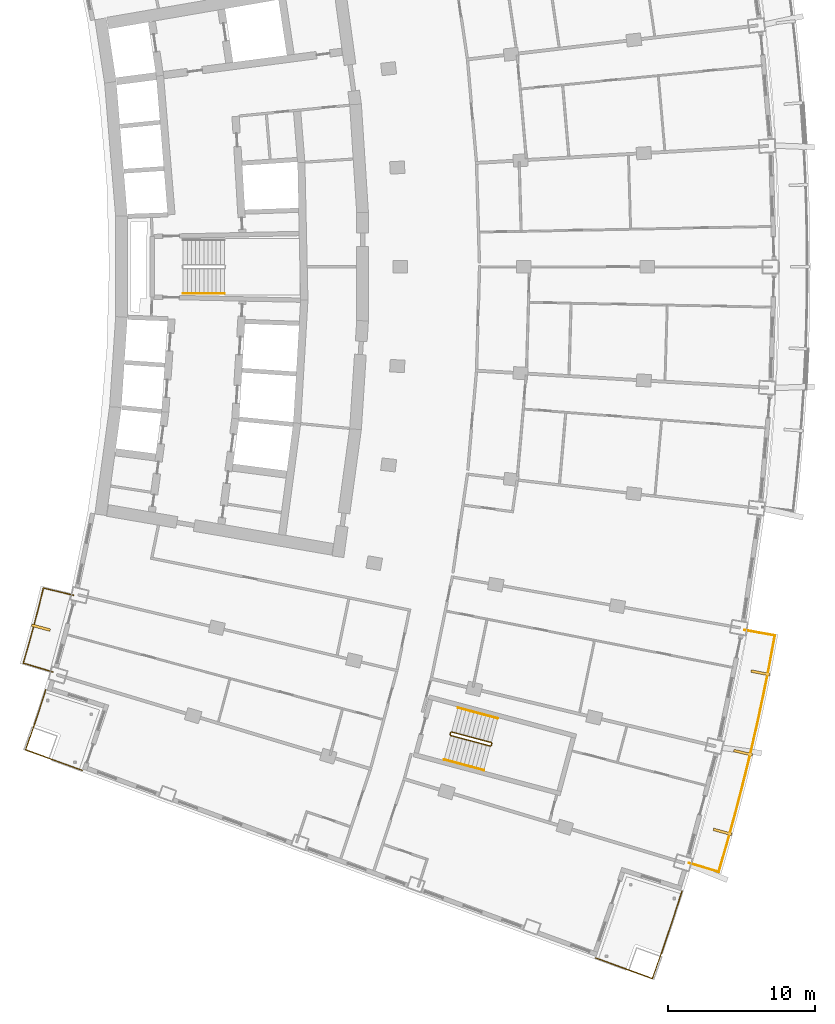
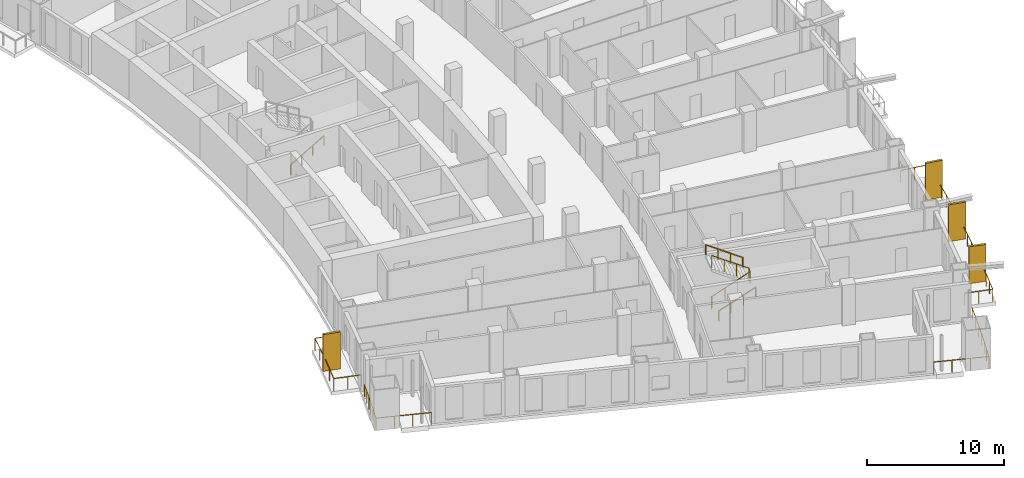
# One storey, part 23 of 25: 8 railings, 4 shading devices.
"""IFC4 building model written with IfcOpenShell, lengths in metres."""

from ifc_helpers import new_model, si_unit, direction, frame, origin, origin_with_axes, origin_2d, place, context, subcontext, project, spatial, rectangle, extrude, material, layer, layer_set, type_object, element, save


model = new_model("IFC4")

# Units and contexts
model_context = context("Model", 3, precision=1e-05, world=origin(), true_north=direction((0.0, 1.0)))
body_context = subcontext(model_context, "Body", "Model", "MODEL_VIEW")
ifc_project = project(units=[si_unit("LENGTHUNIT", "METRE"), si_unit("AREAUNIT", "SQUARE_METRE"), si_unit("VOLUMEUNIT", "CUBIC_METRE"), si_unit("PLANEANGLEUNIT", "RADIAN"), si_unit("MASSUNIT", "GRAM", prefix="KILO")], contexts=[model_context])

# Site, building, storey
site_placement = place(None, origin())
site = spatial("IfcSite", under=ifc_project, at=site_placement, CompositionType="ELEMENT")
building_placement = place(site_placement, origin())
building = spatial("IfcBuilding", under=site, at=building_placement, Name="Alderwake Tower", CompositionType="ELEMENT")
storey_placement = place(building_placement, frame((0.0, 0.0, 107.60009765625)))
storey = spatial("IfcBuildingStorey", under=building, at=storey_placement, Name="L26", CompositionType="ELEMENT", Elevation=107.60009765625)

# Railings
ifc_material_1 = material(Name="Stainless steel 316 rail and posts", Category="steel")
railing_type_1 = type_object("IfcRailingType", Name="Balcony guard 1100", PredefinedType="GUARDRAIL", material=ifc_material_1)
railing_1_placement = place(storey_placement, frame((55.456298828125, 20.43505859375, 0.0)))
element("IfcRailing", 1, at=railing_1_placement, inside=storey, type_object=railing_type_1, Name="Guard BF02", PredefinedType="GUARDRAIL", context=body_context, shape_type="SweptSolid", body=[
    extrude(rectangle(XDim=0.048095703125, YDim=0.048095703125, at=origin_2d()), frame((0.0, 0.0, 1.076171875), z_axis=(0.957954179098, -0.286921227429, 0.0), x_axis=(0.286921227429, 0.957954179098, 0.0)), (0.0, 0.0, 1.0), 2.10009765625),
    extrude(rectangle(XDim=0.048095703125, YDim=0.048095703125, at=origin_2d()), frame((2.01171875, -0.6025390625, 1.076171875), z_axis=(0.28031519248, 0.95990801271, 0.0), x_axis=(-0.95990801271, 0.28031519248, 0.0)), (0.0, 0.0, 1.0), 1.99267578125),
    extrude(rectangle(XDim=0.048095703125, YDim=0.048095703125, at=origin_2d()), frame((2.5703125, 1.310302734375, 1.076171875), z_axis=(0.266452319336, 0.963848100854, 0.0), x_axis=(-0.963848100854, 0.266452319336, 0.0)), (0.0, 0.0, 1.0), 2.0927734375),
    extrude(rectangle(XDim=0.048095703125, YDim=0.048095703125, at=origin_2d()), frame((3.1279296875, 3.327392578125, 1.076171875), z_axis=(0.252459890033, 0.967607360413, 0.0), x_axis=(-0.967607360413, 0.252459890033, 0.0)), (0.0, 0.0, 1.0), 2.0927734375),
    extrude(rectangle(XDim=0.048095703125, YDim=0.048095703125, at=origin_2d()), frame((3.65625, 5.352294921875, 1.076171875), z_axis=(0.238360646186, 0.971176710156, 0.0), x_axis=(-0.971176710156, 0.238360646186, 0.0)), (0.0, 0.0, 1.0), 2.092529296875),
    extrude(rectangle(XDim=0.048095703125, YDim=0.048095703125, at=origin_2d()), frame((4.155029296875, 7.384521484375, 1.076171875), z_axis=(0.224101157754, 0.974565888534, 0.0), x_axis=(-0.974565888534, 0.224101157754, 0.0)), (0.0, 0.0, 1.0), 2.0927734375),
    extrude(rectangle(XDim=0.048095703125, YDim=0.048095703125, at=origin_2d()), frame((4.6240234375, 9.424072265625, 1.076171875), z_axis=(0.209871658439, 0.977728943513, 0.0), x_axis=(-0.977728943513, 0.209871658439, 0.0)), (0.0, 0.0, 1.0), 2.0927734375),
    extrude(rectangle(XDim=0.048095703125, YDim=0.048095703125, at=origin_2d()), frame((5.063232421875, 11.47021484375, 1.076171875), z_axis=(0.195644970766, 0.980674790853, 0.0), x_axis=(-0.980674790853, 0.195644970766, 0.0)), (0.0, 0.0, 1.0), 2.0927734375),
    extrude(rectangle(XDim=0.048095703125, YDim=0.048095703125, at=origin_2d()), frame((5.47265625, 13.5224609375, 1.076171875), z_axis=(0.181580290722, 0.983376122357, 0.0), x_axis=(-0.983376122357, 0.181580290722, 0.0)), (0.0, 0.0, 1.0), 1.99267578125),
    extrude(rectangle(XDim=0.048095703125, YDim=0.048095703125, at=origin_2d()), frame((5.83447265625, 15.48193359375, 1.076171875), z_axis=(-0.984594547275, 0.174853016779, 0.0), x_axis=(-0.174853016779, -0.984594547275, 0.0)), (0.0, 0.0, 1.0), 2.10009765625),
    extrude(rectangle(XDim=0.0419921875, YDim=0.0419921875, at=origin_2d()), frame((0.0, 0.0, 0.0), z_axis=(0.0, 0.0, 1.0), x_axis=(0.957954179098, -0.286921227429, 0.0)), (0.0, 0.0, 1.0), 1.052001953125),
    extrude(rectangle(XDim=0.0419921875, YDim=0.0419921875, at=origin_2d()), frame((1.005859375, -0.30126953125, 0.0), z_axis=(0.0, 0.0, 1.0), x_axis=(0.957954179098, -0.286921227429, 0.0)), (0.0, 0.0, 1.0), 1.052001953125),
    extrude(rectangle(XDim=0.0419921875, YDim=0.0419921875, at=origin_2d()), frame((2.01171875, -0.6025390625, 0.0), z_axis=(0.0, 0.0, 1.0), x_axis=(0.28031519248, 0.95990801271, 0.0)), (0.0, 0.0, 1.0), 1.052001953125),
    extrude(rectangle(XDim=0.0419921875, YDim=0.0419921875, at=origin_2d()), frame((2.291015625, 0.35400390625, 0.0), z_axis=(0.0, 0.0, 1.0), x_axis=(0.28031519248, 0.95990801271, 0.0)), (0.0, 0.0, 1.0), 1.052001953125),
    extrude(rectangle(XDim=0.0419921875, YDim=0.0419921875, at=origin_2d()), frame((2.5703125, 1.310302734375, 0.0), z_axis=(0.0, 0.0, 1.0), x_axis=(0.266452319336, 0.963848100854, 0.0)), (0.0, 0.0, 1.0), 1.052001953125),
    extrude(rectangle(XDim=0.0419921875, YDim=0.0419921875, at=origin_2d()), frame((2.84912109375, 2.31884765625, 0.0), z_axis=(0.0, 0.0, 1.0), x_axis=(0.266452319336, 0.963848100854, 0.0)), (0.0, 0.0, 1.0), 1.052001953125),
    extrude(rectangle(XDim=0.0419921875, YDim=0.0419921875, at=origin_2d()), frame((3.1279296875, 3.327392578125, 0.0), z_axis=(0.0, 0.0, 1.0), x_axis=(0.252459890033, 0.967607360413, 0.0)), (0.0, 0.0, 1.0), 1.052001953125),
    extrude(rectangle(XDim=0.0419921875, YDim=0.0419921875, at=origin_2d()), frame((3.39208984375, 4.33984375, 0.0), z_axis=(0.0, 0.0, 1.0), x_axis=(0.252459890033, 0.967607360413, 0.0)), (0.0, 0.0, 1.0), 1.052001953125),
    extrude(rectangle(XDim=0.0419921875, YDim=0.0419921875, at=origin_2d()), frame((3.65625, 5.352294921875, 0.0), z_axis=(0.0, 0.0, 1.0), x_axis=(0.238360646186, 0.971176710156, 0.0)), (0.0, 0.0, 1.0), 1.052001953125),
    extrude(rectangle(XDim=0.0419921875, YDim=0.0419921875, at=origin_2d()), frame((3.90576171875, 6.368408203125, 0.0), z_axis=(0.0, 0.0, 1.0), x_axis=(0.238360646186, 0.971176710156, 0.0)), (0.0, 0.0, 1.0), 1.052001953125),
    extrude(rectangle(XDim=0.0419921875, YDim=0.0419921875, at=origin_2d()), frame((4.155029296875, 7.384521484375, 0.0), z_axis=(0.0, 0.0, 1.0), x_axis=(0.224101157754, 0.974565888534, 0.0)), (0.0, 0.0, 1.0), 1.052001953125),
    extrude(rectangle(XDim=0.0419921875, YDim=0.0419921875, at=origin_2d()), frame((4.3896484375, 8.404296875, 0.0), z_axis=(0.0, 0.0, 1.0), x_axis=(0.224101157754, 0.974565888534, 0.0)), (0.0, 0.0, 1.0), 1.052001953125),
    extrude(rectangle(XDim=0.0419921875, YDim=0.0419921875, at=origin_2d()), frame((4.6240234375, 9.424072265625, 0.0), z_axis=(0.0, 0.0, 1.0), x_axis=(0.209871658439, 0.977728943513, 0.0)), (0.0, 0.0, 1.0), 1.052001953125),
    extrude(rectangle(XDim=0.0419921875, YDim=0.0419921875, at=origin_2d()), frame((4.84375, 10.447265625, 0.0), z_axis=(0.0, 0.0, 1.0), x_axis=(0.209871658439, 0.977728943513, 0.0)), (0.0, 0.0, 1.0), 1.052001953125),
    extrude(rectangle(XDim=0.0419921875, YDim=0.0419921875, at=origin_2d()), frame((5.063232421875, 11.47021484375, 0.0), z_axis=(0.0, 0.0, 1.0), x_axis=(0.195644970766, 0.980674790853, 0.0)), (0.0, 0.0, 1.0), 1.052001953125),
    extrude(rectangle(XDim=0.0419921875, YDim=0.0419921875, at=origin_2d()), frame((5.26806640625, 12.496337890625, 0.0), z_axis=(0.0, 0.0, 1.0), x_axis=(0.195644970766, 0.980674790853, 0.0)), (0.0, 0.0, 1.0), 1.052001953125),
    extrude(rectangle(XDim=0.0419921875, YDim=0.0419921875, at=origin_2d()), frame((5.47265625, 13.5224609375, 0.0), z_axis=(0.0, 0.0, 1.0), x_axis=(0.181580290722, 0.983376122357, 0.0)), (0.0, 0.0, 1.0), 1.052001953125),
    extrude(rectangle(XDim=0.0419921875, YDim=0.0419921875, at=origin_2d()), frame((5.653564453125, 14.502197265625, 0.0), z_axis=(0.0, 0.0, 1.0), x_axis=(0.181580290722, 0.983376122357, 0.0)), (0.0, 0.0, 1.0), 1.052001953125),
    extrude(rectangle(XDim=0.0419921875, YDim=0.0419921875, at=origin_2d()), frame((5.83447265625, 15.48193359375, 0.0), z_axis=(0.0, 0.0, 1.0), x_axis=(-0.984594547275, 0.174853016779, 0.0)), (0.0, 0.0, 1.0), 1.052001953125),
    extrude(rectangle(XDim=0.0419921875, YDim=0.0419921875, at=origin_2d()), frame((4.80078125, 15.66552734375, 0.0), z_axis=(0.0, 0.0, 1.0), x_axis=(-0.984594547275, 0.174853016779, 0.0)), (0.0, 0.0, 1.0), 1.052001953125),
    extrude(rectangle(XDim=0.0419921875, YDim=0.0419921875, at=origin_2d()), frame((3.766845703125, 15.84912109375, 0.0), z_axis=(0.0, 0.0, 1.0), x_axis=(-0.984594547275, 0.174853016779, 0.0)), (0.0, 0.0, 1.0), 1.052001953125),
])
railing_2_placement = place(storey_placement, frame((12.16650390625, 33.435791015625, 0.0)))
element("IfcRailing", 2, at=railing_2_placement, inside=storey, type_object=railing_type_1, Name="Guard BR02", PredefinedType="GUARDRAIL", context=body_context, shape_type="SweptSolid", body=[
    extrude(rectangle(XDim=0.048095703125, YDim=0.048095703125, at=origin_2d()), frame((0.0, 0.0, 1.076171875), z_axis=(-0.958091458885, 0.286462486918, 0.0), x_axis=(-0.286462486918, -0.958091458885, 0.0)), (0.0, 0.0, 1.0), 2.099853515625),
    extrude(rectangle(XDim=0.048095703125, YDim=0.048095703125, at=origin_2d()), frame((-2.011962890625, 0.6015625, 1.076171875), z_axis=(0.279963157487, 0.960010744966, 0.0), x_axis=(-0.960010744966, 0.279963157487, 0.0)), (0.0, 0.0, 1.0), 1.272216796875),
    extrude(rectangle(XDim=0.048095703125, YDim=0.048095703125, at=origin_2d()), frame((-1.65576171875, 1.822998046875, 1.076171875), z_axis=(0.266487604617, 0.963838345671, 0.0), x_axis=(-0.963838345671, 0.266487604617, 0.0)), (0.0, 0.0, 1.0), 1.372314453125),
    extrude(rectangle(XDim=0.048095703125, YDim=0.048095703125, at=origin_2d()), frame((-1.2900390625, 3.145751953125, 1.076171875), z_axis=(0.252487086228, 0.967600264204, 0.0), x_axis=(-0.967600264204, 0.252487086228, 0.0)), (0.0, 0.0, 1.0), 1.3720703125),
    extrude(rectangle(XDim=0.048095703125, YDim=0.048095703125, at=origin_2d()), frame((-0.943603515625, 4.473388671875, 1.076171875), z_axis=(0.238877101641, 0.971049808358, 0.0), x_axis=(-0.971049808358, 0.238877101641, 0.0)), (0.0, 0.0, 1.0), 1.2724609375),
    extrude(rectangle(XDim=0.048095703125, YDim=0.048095703125, at=origin_2d()), frame((-0.6396484375, 5.708984375, 1.076171875), z_axis=(0.972646310656, -0.232291098337, 0.0), x_axis=(0.232291098337, 0.972646310656, 0.0)), (0.0, 0.0, 1.0), 2.099853515625),
    extrude(rectangle(XDim=0.0419921875, YDim=0.0419921875, at=origin_2d()), frame((0.0, 0.0, 0.0), z_axis=(0.0, 0.0, 1.0), x_axis=(-0.958091458885, 0.286462486918, 0.0)), (0.0, 0.0, 1.0), 1.052001953125),
    extrude(rectangle(XDim=0.0419921875, YDim=0.0419921875, at=origin_2d()), frame((-1.005859375, 0.30078125, 0.0), z_axis=(0.0, 0.0, 1.0), x_axis=(-0.958091458885, 0.286462486918, 0.0)), (0.0, 0.0, 1.0), 1.052001953125),
    extrude(rectangle(XDim=0.0419921875, YDim=0.0419921875, at=origin_2d()), frame((-2.011962890625, 0.6015625, 0.0), z_axis=(0.0, 0.0, 1.0), x_axis=(0.279963157487, 0.960010744966, 0.0)), (0.0, 0.0, 1.0), 1.052001953125),
    extrude(rectangle(XDim=0.0419921875, YDim=0.0419921875, at=origin_2d()), frame((-1.65576171875, 1.822998046875, 0.0), z_axis=(0.0, 0.0, 1.0), x_axis=(0.266487604617, 0.963838345671, 0.0)), (0.0, 0.0, 1.0), 1.052001953125),
    extrude(rectangle(XDim=0.0419921875, YDim=0.0419921875, at=origin_2d()), frame((-1.2900390625, 3.145751953125, 0.0), z_axis=(0.0, 0.0, 1.0), x_axis=(0.252487086228, 0.967600264204, 0.0)), (0.0, 0.0, 1.0), 1.052001953125),
    extrude(rectangle(XDim=0.0419921875, YDim=0.0419921875, at=origin_2d()), frame((-0.943603515625, 4.473388671875, 0.0), z_axis=(0.0, 0.0, 1.0), x_axis=(0.238877101641, 0.971049808358, 0.0)), (0.0, 0.0, 1.0), 1.052001953125),
    extrude(rectangle(XDim=0.0419921875, YDim=0.0419921875, at=origin_2d()), frame((-0.6396484375, 5.708984375, 0.0), z_axis=(0.0, 0.0, 1.0), x_axis=(0.972646310656, -0.232291098337, 0.0)), (0.0, 0.0, 1.0), 1.052001953125),
    extrude(rectangle(XDim=0.0419921875, YDim=0.0419921875, at=origin_2d()), frame((0.381591796875, 5.465087890625, 0.0), z_axis=(0.0, 0.0, 1.0), x_axis=(0.972646310656, -0.232291098337, 0.0)), (0.0, 0.0, 1.0), 1.052001953125),
    extrude(rectangle(XDim=0.0419921875, YDim=0.0419921875, at=origin_2d()), frame((1.40283203125, 5.22119140625, 0.0), z_axis=(0.0, 0.0, 1.0), x_axis=(0.972646310656, -0.232291098337, 0.0)), (0.0, 0.0, 1.0), 1.052001953125),
])
railing_3_placement = place(storey_placement, frame((54.976318359375, 18.530517578125, 0.0)))
element("IfcRailing", 3, at=railing_3_placement, inside=storey, type_object=railing_type_1, Name="Guard terrace FS", PredefinedType="GUARDRAIL", context=body_context, shape_type="SweptSolid", body=[
    extrude(rectangle(XDim=0.048095703125, YDim=0.048095703125, at=origin_2d()), frame((0.0, 0.0, 1.076171875), z_axis=(-0.307736999778, -0.951471459881, 0.0), x_axis=(0.951471459881, -0.307736999778, 0.0)), (0.0, 0.0, 1.0), 2.263427734375),
    extrude(rectangle(XDim=0.048095703125, YDim=0.048095703125, at=origin_2d()), frame((-0.696533203125, -2.153564453125, 1.076171875), z_axis=(-0.322290868596, -0.946640690029, 0.0), x_axis=(0.946640690029, -0.322290868596, 0.0)), (0.0, 0.0, 1.0), 2.0634765625),
    extrude(rectangle(XDim=0.048095703125, YDim=0.048095703125, at=origin_2d()), frame((-1.361572265625, -4.10693359375, 1.076171875), z_axis=(-0.335706204484, -0.941966742656, 0.0), x_axis=(0.941966742656, -0.335706204484, 0.0)), (0.0, 0.0, 1.0), 1.963623046875),
    extrude(rectangle(XDim=0.048095703125, YDim=0.048095703125, at=origin_2d()), frame((-2.020751953125, -5.95654296875, 1.076171875), z_axis=(-0.939624669849, 0.342206779317, 0.0), x_axis=(-0.342206779317, -0.939624669849, 0.0)), (0.0, 0.0, 1.0), 4.10009765625),
    extrude(rectangle(XDim=0.0419921875, YDim=0.0419921875, at=origin_2d()), frame((0.0, 0.0, 0.0), z_axis=(0.0, 0.0, 1.0), x_axis=(-0.307736999778, -0.951471459881, 0.0)), (0.0, 0.0, 1.0), 1.052001953125),
    extrude(rectangle(XDim=0.0419921875, YDim=0.0419921875, at=origin_2d()), frame((-0.34814453125, -1.07666015625, 0.0), z_axis=(0.0, 0.0, 1.0), x_axis=(-0.307736999778, -0.951471459881, 0.0)), (0.0, 0.0, 1.0), 1.052001953125),
    extrude(rectangle(XDim=0.0419921875, YDim=0.0419921875, at=origin_2d()), frame((-0.696533203125, -2.153564453125, 0.0), z_axis=(0.0, 0.0, 1.0), x_axis=(-0.322290868596, -0.946640690029, 0.0)), (0.0, 0.0, 1.0), 1.052001953125),
    extrude(rectangle(XDim=0.0419921875, YDim=0.0419921875, at=origin_2d()), frame((-1.029052734375, -3.13037109375, 0.0), z_axis=(0.0, 0.0, 1.0), x_axis=(-0.322290868596, -0.946640690029, 0.0)), (0.0, 0.0, 1.0), 1.052001953125),
    extrude(rectangle(XDim=0.0419921875, YDim=0.0419921875, at=origin_2d()), frame((-1.361572265625, -4.10693359375, 0.0), z_axis=(0.0, 0.0, 1.0), x_axis=(-0.335706204484, -0.941966742656, 0.0)), (0.0, 0.0, 1.0), 1.052001953125),
    extrude(rectangle(XDim=0.0419921875, YDim=0.0419921875, at=origin_2d()), frame((-1.691162109375, -5.03173828125, 0.0), z_axis=(0.0, 0.0, 1.0), x_axis=(-0.335706204484, -0.941966742656, 0.0)), (0.0, 0.0, 1.0), 1.052001953125),
    extrude(rectangle(XDim=0.0419921875, YDim=0.0419921875, at=origin_2d()), frame((-2.020751953125, -5.95654296875, 0.0), z_axis=(0.0, 0.0, 1.0), x_axis=(-0.939624669849, 0.342206779317, 0.0)), (0.0, 0.0, 1.0), 1.052001953125),
    extrude(rectangle(XDim=0.0419921875, YDim=0.0419921875, at=origin_2d()), frame((-3.304931640625, -5.48876953125, 0.0), z_axis=(0.0, 0.0, 1.0), x_axis=(-0.939624669849, 0.342206779317, 0.0)), (0.0, 0.0, 1.0), 1.052001953125),
    extrude(rectangle(XDim=0.0419921875, YDim=0.0419921875, at=origin_2d()), frame((-4.589111328125, -5.021240234375, 0.0), z_axis=(0.0, 0.0, 1.0), x_axis=(-0.939624669849, 0.342206779317, 0.0)), (0.0, 0.0, 1.0), 1.052001953125),
    extrude(rectangle(XDim=0.0419921875, YDim=0.0419921875, at=origin_2d()), frame((-5.873291015625, -4.553466796875, 0.0), z_axis=(0.0, 0.0, 1.0), x_axis=(-0.939624669849, 0.342206779317, 0.0)), (0.0, 0.0, 1.0), 1.052001953125),
])
railing_4_placement = place(storey_placement, frame((11.688720703125, 32.218017578125, 0.0)))
element("IfcRailing", 4, at=railing_4_placement, inside=storey, type_object=railing_type_1, Name="Guard terrace RS", PredefinedType="GUARDRAIL", context=body_context, shape_type="SweptSolid", body=[
    extrude(rectangle(XDim=0.048095703125, YDim=0.048095703125, at=origin_2d()), frame((0.0, 0.0, 1.076171875), z_axis=(-0.307479326145, -0.951554761426, 0.0), x_axis=(0.951554761426, -0.307479326145, 0.0)), (0.0, 0.0, 1.0), 1.6015625),
    extrude(rectangle(XDim=0.048095703125, YDim=0.048095703125, at=origin_2d()), frame((-0.492431640625, -1.52392578125, 1.076171875), z_axis=(-0.322283727344, -0.946643121292, 0.0), x_axis=(0.946643121292, -0.322283727344, 0.0)), (0.0, 0.0, 1.0), 1.4013671875),
    extrude(rectangle(XDim=0.048095703125, YDim=0.048095703125, at=origin_2d()), frame((-0.944091796875, -2.8505859375, 1.076171875), z_axis=(-0.335468607403, -0.942051385778, 0.0), x_axis=(0.942051385778, -0.335468607403, 0.0)), (0.0, 0.0, 1.0), 1.30126953125),
    extrude(rectangle(XDim=0.048095703125, YDim=0.048095703125, at=origin_2d()), frame((-1.380615234375, -4.076416015625, 1.076171875), z_axis=(0.939708203232, -0.341977327873, 0.0), x_axis=(0.341977327873, 0.939708203232, 0.0)), (0.0, 0.0, 1.0), 4.10009765625),
    extrude(rectangle(XDim=0.0419921875, YDim=0.0419921875, at=origin_2d()), frame((0.0, 0.0, 0.0), z_axis=(0.0, 0.0, 1.0), x_axis=(-0.307479326145, -0.951554761426, 0.0)), (0.0, 0.0, 1.0), 1.052001953125),
    extrude(rectangle(XDim=0.0419921875, YDim=0.0419921875, at=origin_2d()), frame((-0.24609375, -0.761962890625, 0.0), z_axis=(0.0, 0.0, 1.0), x_axis=(-0.307479326145, -0.951554761426, 0.0)), (0.0, 0.0, 1.0), 1.052001953125),
    extrude(rectangle(XDim=0.0419921875, YDim=0.0419921875, at=origin_2d()), frame((-0.492431640625, -1.52392578125, 0.0), z_axis=(0.0, 0.0, 1.0), x_axis=(-0.322283727344, -0.946643121292, 0.0)), (0.0, 0.0, 1.0), 1.052001953125),
    extrude(rectangle(XDim=0.0419921875, YDim=0.0419921875, at=origin_2d()), frame((-0.71826171875, -2.187255859375, 0.0), z_axis=(0.0, 0.0, 1.0), x_axis=(-0.322283727344, -0.946643121292, 0.0)), (0.0, 0.0, 1.0), 1.052001953125),
    extrude(rectangle(XDim=0.0419921875, YDim=0.0419921875, at=origin_2d()), frame((-0.944091796875, -2.8505859375, 0.0), z_axis=(0.0, 0.0, 1.0), x_axis=(-0.335468607403, -0.942051385778, 0.0)), (0.0, 0.0, 1.0), 1.052001953125),
    extrude(rectangle(XDim=0.0419921875, YDim=0.0419921875, at=origin_2d()), frame((-1.380615234375, -4.076416015625, 0.0), z_axis=(0.0, 0.0, 1.0), x_axis=(0.939708203232, -0.341977327873, 0.0)), (0.0, 0.0, 1.0), 1.052001953125),
    extrude(rectangle(XDim=0.0419921875, YDim=0.0419921875, at=origin_2d()), frame((-0.096435546875, -4.543701171875, 0.0), z_axis=(0.0, 0.0, 1.0), x_axis=(0.939708203232, -0.341977327873, 0.0)), (0.0, 0.0, 1.0), 1.052001953125),
    extrude(rectangle(XDim=0.0419921875, YDim=0.0419921875, at=origin_2d()), frame((1.18798828125, -5.01123046875, 0.0), z_axis=(0.0, 0.0, 1.0), x_axis=(0.939708203232, -0.341977327873, 0.0)), (0.0, 0.0, 1.0), 1.052001953125),
    extrude(rectangle(XDim=0.0419921875, YDim=0.0419921875, at=origin_2d()), frame((2.47216796875, -5.478515625, 0.0), z_axis=(0.0, 0.0, 1.0), x_axis=(0.939708203232, -0.341977327873, 0.0)), (0.0, 0.0, 1.0), 1.052001953125),
])

# Shading devices
ifc_material_2 = material(Name="Bronze anodised aluminium", Category="aluminium")
ifc_layer = layer(ifc_material_2, 0.179931640625)
ifc_layer_set = layer_set([ifc_layer], Name="Facade fin 1300")
shading_device_type = type_object("IfcShadingDeviceType", Name="Facade fin 1300", PredefinedType="USERDEFINED", material=ifc_layer_set)
for number, where, z_axis, x_axis, name in (
    (5, (57.735107421875, 22.55419921875, 0.0), (0.0, 0.0, 1.0), (0.96318180783, -0.268850897459, 0.0), "Fin"),
    (6, (59.1259765625, 27.93994140625, 0.0), (0.0, 0.0, 1.0), (0.972908790564, -0.231189284448, 0.0), "Fin"),
    (7, (60.306396484375, 33.37548828125, 0.0), (0.0, 0.0, 1.0), (0.981163751315, -0.193177879441, 0.0), "Fin"),
    (8, (11.359375, 36.45166015625, 0.0), (0.0, 0.0, 1.0), (0.965744448231, -0.259495010957, 0.0), "Fin"),
):
    element("IfcShadingDevice", number, at=place(storey_placement, frame(where, z_axis=z_axis, x_axis=x_axis)), inside=storey, type_object=shading_device_type, Name=name, ObjectType="FIN", PredefinedType="USERDEFINED", context=body_context, shape_type="SweptSolid", body=[
        extrude(rectangle(XDim=1.300048828125, YDim=0.179931640625, at=origin_2d()), origin(), (0.0, 0.0, 1.0), 3.280029296875),
    ])

# Railings
ifc_material_3 = material(Name="Stainless steel guard", Category="steel")
railing_type_2 = type_object("IfcRailingType", Name="Stair guard 1100", PredefinedType="GUARDRAIL", material=ifc_material_3)
railing_5_placement = place(storey_placement, frame((39.1943359375, 29.17431640625, 0.0)))
element("IfcRailing", 9, at=railing_5_placement, inside=storey, type_object=railing_type_2, Name="L26 ST-C stair guard 1", PredefinedType="GUARDRAIL", context=body_context, shape_type="SweptSolid", body=[
    extrude(rectangle(XDim=0.048095703125, YDim=0.048095703125, at=origin_2d()), frame((0.0, 0.0, 1.076171875), z_axis=(0.257459803502, 0.966289009345, 0.0), x_axis=(-0.966289009345, 0.257459803502, 0.0)), (0.0, 0.0, 1.0), 0.14990234375),
    extrude(rectangle(XDim=0.048095703125, YDim=0.048095703125, at=origin_2d()), frame((0.03857421875, 0.144775390625, 1.076171875), z_axis=(-0.012062893862, -0.783160186125, 0.621702991355), x_axis=(0.999881397308, -0.015401016783, 0.0)), (0.0, 0.0, 1.0), 0.26318359375),
    extrude(rectangle(XDim=0.048095703125, YDim=0.048095703125, at=origin_2d()), frame((0.035400390625, -0.061279296875, 1.23974609375), z_axis=(0.834313512087, -0.222222637163, 0.504517653885), x_axis=(0.257380452725, 0.966310148221, 0.0)), (0.0, 0.0, 1.0), 3.2431640625),
    extrude(rectangle(XDim=0.048095703125, YDim=0.048095703125, at=origin_2d()), frame((2.7412109375, -0.781982421875, 2.8759765625), z_axis=(0.865031189262, 0.501718089772, 0.0), x_axis=(-0.501718089772, 0.865031189262, 0.0)), (0.0, 0.0, 1.0), 0.070556640625),
    extrude(rectangle(XDim=0.048095703125, YDim=0.048095703125, at=origin_2d()), frame((2.80224609375, -0.74658203125, 2.8759765625), z_axis=(0.257055032184, 0.966396766566, 0.0), x_axis=(-0.966396766566, 0.257055032184, 0.0)), (0.0, 0.0, 1.0), 0.150146484375),
    extrude(rectangle(XDim=0.048095703125, YDim=0.048095703125, at=origin_2d()), frame((2.8408203125, -0.6015625, 2.8759765625), z_axis=(-0.198375862152, 0.343395457933, 0.918001403477), x_axis=(-0.865898279276, -0.500220121494, 0.0)), (0.0, 0.0, 1.0), 0.178466796875),
    extrude(rectangle(XDim=0.048095703125, YDim=0.048095703125, at=origin_2d()), frame((2.805419921875, -0.540283203125, 3.03955078125), z_axis=(-0.834290631165, 0.222236594766, 0.504549342183), x_axis=(-0.257402139082, -0.966304371715, 0.0)), (0.0, 0.0, 1.0), 3.242919921875),
    extrude(rectangle(XDim=0.0419921875, YDim=0.0419921875, at=origin_2d()), frame((0.0, 0.0, 0.0), z_axis=(0.0, 0.0, 1.0), x_axis=(0.257459803502, 0.966289009345, 0.0)), (0.0, 0.0, 1.0), 1.052001953125),
    extrude(rectangle(XDim=0.0419921875, YDim=0.0419921875, at=origin_2d()), frame((0.03857421875, 0.144775390625, 0.0), z_axis=(0.0, 0.0, 1.0), x_axis=(-0.015401016783, -0.999881397308, 0.0)), (0.0, 0.0, 1.0), 1.052001953125),
    extrude(rectangle(XDim=0.0419921875, YDim=0.0419921875, at=origin_2d()), frame((0.035400390625, -0.061279296875, 0.16357421875), z_axis=(0.0, 0.0, 1.0), x_axis=(0.966310148221, -0.257380452725, 0.0)), (0.0, 0.0, 1.0), 1.052001953125),
    extrude(rectangle(XDim=0.0419921875, YDim=0.0419921875, at=origin_2d()), frame((0.937255859375, -0.301513671875, 0.708984375), z_axis=(0.0, 0.0, 1.0), x_axis=(0.966310148221, -0.257380452725, 0.0)), (0.0, 0.0, 1.0), 1.052001953125),
    extrude(rectangle(XDim=0.0419921875, YDim=0.0419921875, at=origin_2d()), frame((1.83935546875, -0.541748046875, 1.25439453125), z_axis=(0.0, 0.0, 1.0), x_axis=(0.966310148221, -0.257380452725, 0.0)), (0.0, 0.0, 1.0), 1.052001953125),
    extrude(rectangle(XDim=0.0419921875, YDim=0.0419921875, at=origin_2d()), frame((2.7412109375, -0.781982421875, 1.7998046875), z_axis=(0.0, 0.0, 1.0), x_axis=(0.865031189262, 0.501718089772, 0.0)), (0.0, 0.0, 1.0), 1.052001953125),
    extrude(rectangle(XDim=0.0419921875, YDim=0.0419921875, at=origin_2d()), frame((2.80224609375, -0.74658203125, 1.7998046875), z_axis=(0.0, 0.0, 1.0), x_axis=(0.257055032184, 0.966396766566, 0.0)), (0.0, 0.0, 1.0), 1.052001953125),
    extrude(rectangle(XDim=0.0419921875, YDim=0.0419921875, at=origin_2d()), frame((2.8408203125, -0.6015625, 1.7998046875), z_axis=(0.0, 0.0, 1.0), x_axis=(-0.500220121494, 0.865898279276, 0.0)), (0.0, 0.0, 1.0), 1.052001953125),
    extrude(rectangle(XDim=0.0419921875, YDim=0.0419921875, at=origin_2d()), frame((2.805419921875, -0.540283203125, 1.963623046875), z_axis=(0.0, 0.0, 1.0), x_axis=(-0.966304371715, 0.257402139082, 0.0)), (0.0, 0.0, 1.0), 1.052001953125),
    extrude(rectangle(XDim=0.0419921875, YDim=0.0419921875, at=origin_2d()), frame((1.903564453125, -0.300048828125, 2.509033203125), z_axis=(0.0, 0.0, 1.0), x_axis=(-0.966304371715, 0.257402139082, 0.0)), (0.0, 0.0, 1.0), 1.052001953125),
    extrude(rectangle(XDim=0.0419921875, YDim=0.0419921875, at=origin_2d()), frame((1.001708984375, -0.059814453125, 3.054443359375), z_axis=(0.0, 0.0, 1.0), x_axis=(-0.966304371715, 0.257402139082, 0.0)), (0.0, 0.0, 1.0), 1.052001953125),
    extrude(rectangle(XDim=0.0419921875, YDim=0.0419921875, at=origin_2d()), frame((0.099853515625, 0.180419921875, 3.599853515625), z_axis=(0.0, 0.0, 1.0), x_axis=(-0.966304371715, 0.257402139082, 0.0)), (0.0, 0.0, 1.0), 1.052001953125),
])
ifc_material_4 = material(Name="Stainless steel handrail", Category="steel")
railing_type_3 = type_object("IfcRailingType", Name="Stair handrail 900", PredefinedType="HANDRAIL", material=ifc_material_4)
railing_6_placement = place(storey_placement, frame((21.0400390625, 59.175048828125, 0.16357421875)))
element("IfcRailing", 10, at=railing_6_placement, inside=storey, type_object=railing_type_3, Name="L26 ST-B stair handrail 1", PredefinedType="HANDRAIL", context=body_context, shape_type="SweptSolid", body=[
    extrude(rectangle(XDim=0.048095703125, YDim=0.048095703125, at=origin_2d()), frame((0.0, 0.0, 0.8759765625), z_axis=(0.863393664356, 0.0, 0.504530851732), x_axis=(0.0, 1.0, 0.0)), (0.0, 0.0, 1.0), 3.2431640625),
    extrude(rectangle(XDim=0.0419921875, YDim=0.0419921875, at=origin_2d()), origin_with_axes(), (0.0, 0.0, 1.0), 0.851806640625),
    extrude(rectangle(XDim=0.0419921875, YDim=0.0419921875, at=origin_2d()), frame((0.933349609375, 0.0, 0.54541015625), z_axis=(0.0, 0.0, 1.0), x_axis=(1.0, 0.0, 0.0)), (0.0, 0.0, 1.0), 0.851806640625),
    extrude(rectangle(XDim=0.0419921875, YDim=0.0419921875, at=origin_2d()), frame((1.86669921875, 0.0, 1.0908203125), z_axis=(0.0, 0.0, 1.0), x_axis=(1.0, 0.0, 0.0)), (0.0, 0.0, 1.0), 0.851806640625),
    extrude(rectangle(XDim=0.0419921875, YDim=0.0419921875, at=origin_2d()), frame((2.800048828125, 0.0, 1.63623046875), z_axis=(0.0, 0.0, 1.0), x_axis=(1.0, 0.0, 0.0)), (0.0, 0.0, 1.0), 0.851806640625),
])
railing_7_placement = place(storey_placement, frame((38.792236328125, 27.47021484375, 0.16357421875)))
element("IfcRailing", 11, at=railing_7_placement, inside=storey, type_object=railing_type_3, Name="L26 ST-C stair handrail 1", PredefinedType="HANDRAIL", context=body_context, shape_type="SweptSolid", body=[
    extrude(rectangle(XDim=0.048095703125, YDim=0.048095703125, at=origin_2d()), frame((0.0, 0.0, 0.8759765625), z_axis=(0.834304587439, -0.222165027751, 0.504557782442), x_axis=(0.25732071773, 0.966326056891, 0.0)), (0.0, 0.0, 1.0), 3.242919921875),
    extrude(rectangle(XDim=0.0419921875, YDim=0.0419921875, at=origin_2d()), frame((0.0, 0.0, 0.0), z_axis=(0.0, 0.0, 1.0), x_axis=(0.966326056891, -0.25732071773, 0.0)), (0.0, 0.0, 1.0), 0.851806640625),
    extrude(rectangle(XDim=0.0419921875, YDim=0.0419921875, at=origin_2d()), frame((0.90185546875, -0.240234375, 0.54541015625), z_axis=(0.0, 0.0, 1.0), x_axis=(0.966326056891, -0.25732071773, 0.0)), (0.0, 0.0, 1.0), 0.851806640625),
    extrude(rectangle(XDim=0.0419921875, YDim=0.0419921875, at=origin_2d()), frame((1.8037109375, -0.480224609375, 1.0908203125), z_axis=(0.0, 0.0, 1.0), x_axis=(0.966326056891, -0.25732071773, 0.0)), (0.0, 0.0, 1.0), 0.851806640625),
    extrude(rectangle(XDim=0.0419921875, YDim=0.0419921875, at=origin_2d()), frame((2.70556640625, -0.720458984375, 1.63623046875), z_axis=(0.0, 0.0, 1.0), x_axis=(0.966326056891, -0.25732071773, 0.0)), (0.0, 0.0, 1.0), 0.851806640625),
])
railing_8_placement = place(storey_placement, frame((42.437255859375, 30.276611328125, 1.963623046875)))
element("IfcRailing", 12, at=railing_8_placement, inside=storey, type_object=railing_type_3, Name="L26 ST-C stair handrail 2", PredefinedType="HANDRAIL", context=body_context, shape_type="SweptSolid", body=[
    extrude(rectangle(XDim=0.048095703125, YDim=0.048095703125, at=origin_2d()), frame((0.0, 0.0, 0.8759765625), z_axis=(-0.834290631165, 0.222236594766, 0.504549342183), x_axis=(-0.257402139082, -0.966304371715, 0.0)), (0.0, 0.0, 1.0), 3.242919921875),
    extrude(rectangle(XDim=0.0419921875, YDim=0.0419921875, at=origin_2d()), frame((0.0, 0.0, 0.0), z_axis=(0.0, 0.0, 1.0), x_axis=(-0.966304371715, 0.257402139082, 0.0)), (0.0, 0.0, 1.0), 0.851806640625),
    extrude(rectangle(XDim=0.0419921875, YDim=0.0419921875, at=origin_2d()), frame((-0.90185546875, 0.240234375, 0.54541015625), z_axis=(0.0, 0.0, 1.0), x_axis=(-0.966304371715, 0.257402139082, 0.0)), (0.0, 0.0, 1.0), 0.851806640625),
    extrude(rectangle(XDim=0.0419921875, YDim=0.0419921875, at=origin_2d()), frame((-1.8037109375, 0.48046875, 1.0908203125), z_axis=(0.0, 0.0, 1.0), x_axis=(-0.966304371715, 0.257402139082, 0.0)), (0.0, 0.0, 1.0), 0.851806640625),
    extrude(rectangle(XDim=0.0419921875, YDim=0.0419921875, at=origin_2d()), frame((-2.70556640625, 0.720703125, 1.63623046875), z_axis=(0.0, 0.0, 1.0), x_axis=(-0.966304371715, 0.257402139082, 0.0)), (0.0, 0.0, 1.0), 0.851806640625),
])

save(model, "model.ifc")
